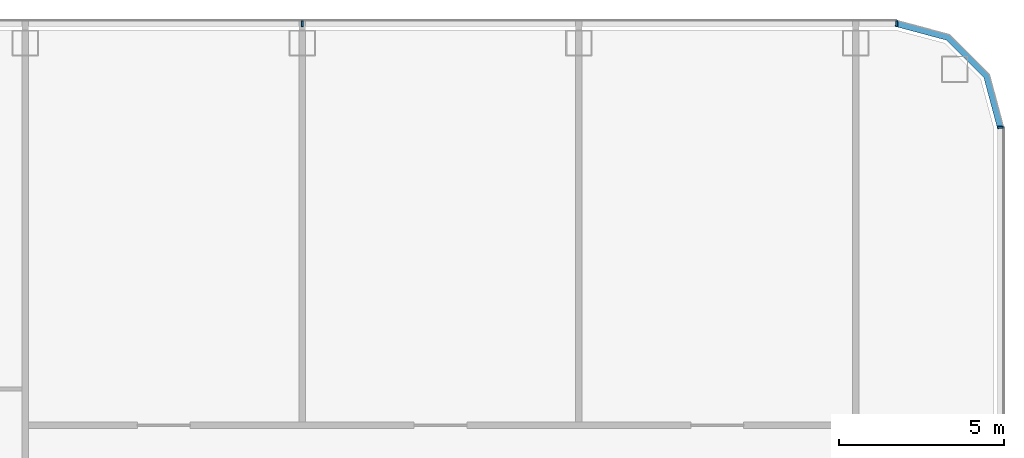
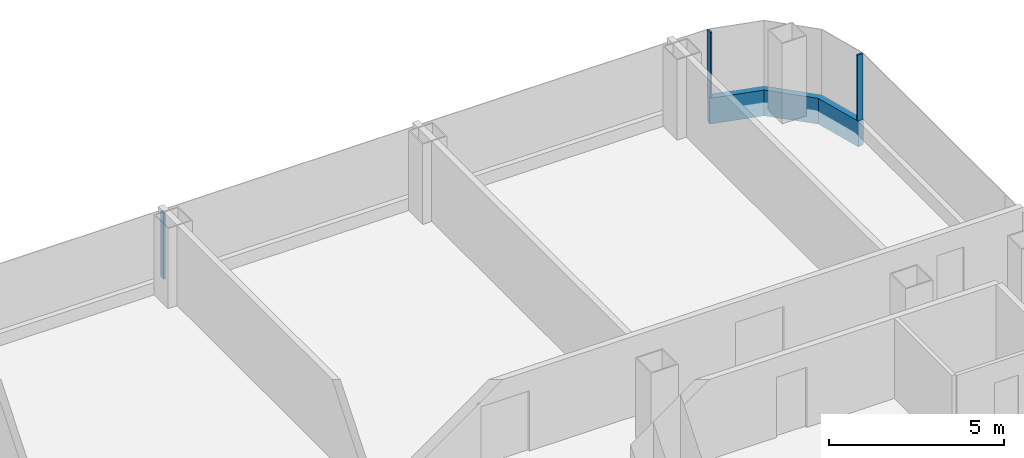
# One storey, part 13 of 29: 4 members, 3 elements without a shape of their own.
"""IFC4 building model written with IfcOpenShell, lengths in metres."""

from ifc_helpers import new_model, si_unit, direction, frame, origin, origin_2d, place, context, subcontext, project, spatial, polyline, rectangle, outline, extrude, material, layer, layer_set, material_profile, profile_set, type_object, element, aggregate, save


model = new_model("IFC4")

# Units and contexts
model_context = context("Model", 3, precision=1e-05, world=origin(), true_north=direction((0.0, 1.0)))
body_context = subcontext(model_context, "Body", "Model", "MODEL_VIEW")
ifc_project = project(units=[si_unit("LENGTHUNIT", "METRE"), si_unit("AREAUNIT", "SQUARE_METRE"), si_unit("VOLUMEUNIT", "CUBIC_METRE"), si_unit("PLANEANGLEUNIT", "RADIAN"), si_unit("MASSUNIT", "GRAM", prefix="KILO")], contexts=[model_context])

# Site, building, storey
site_placement = place(None, origin())
site = spatial("IfcSite", under=ifc_project, at=site_placement, CompositionType="ELEMENT")
building_placement = place(site_placement, origin())
building = spatial("IfcBuilding", under=site, at=building_placement, Name="Hakoniwa Tower and Hamabe Station Hall", CompositionType="ELEMENT")
storey_placement = place(building_placement, frame((0.0, 0.0, 78.60009765625)))
storey = spatial("IfcBuildingStorey", under=building, at=storey_placement, Name="L21", CompositionType="ELEMENT", Elevation=78.60009765625)

# Curtain wall, member
ifc_material_1 = material(Name="Dark low-e laminated glass", Category="glass")
ifc_layer = layer(ifc_material_1, 0.199951171875)
ifc_layer_set = layer_set([ifc_layer], Name="CW-1 UNITISED GUEST")
curtain_wall_type = type_object("IfcCurtainWallType", Name="CW-1 UNITISED GUEST", PredefinedType="NOTDEFINED", material=ifc_layer_set)
curtain_wall_1_placement = place(storey_placement, origin())
curtain_wall_1 = element("IfcCurtainWall", 1, at=curtain_wall_1_placement, inside=storey, type_object=curtain_wall_type, Name="CW-1 curtain wall", PredefinedType="NOTDEFINED")
ifc_material_2 = material(Name="Aluminium 6063-T5 black anodised", Category="aluminium")
ifc_material_profile_1 = material_profile(ifc_material_2, rectangle(XDim=0.199951171875, YDim=0.89990234375, at=origin_2d()), Name="CW SLAB-EDGE BAND 900X200")
ifc_profile_set_1 = profile_set([ifc_material_profile_1], Name="Aluminium 6063-T5 black anodised")
member_type_1 = type_object("IfcMemberType", Name="CW SLAB-EDGE BAND 900X200", PredefinedType="USERDEFINED", material=ifc_profile_set_1)
member_1_placement = place(storey_placement, frame((0.0, 0.0, -0.550048828125)))
member_1 = element("IfcMember", 2, at=member_1_placement, type_object=member_type_1, Name="CW-1 transom", ObjectType="TRANSOM", PredefinedType="USERDEFINED", context=body_context, shape_type="SweptSolid", body=[
    extrude(outline(polyline([(46.5, 20.28955078125), (46.067138671875, 21.9052734375), (44.855224609375, 23.116943359375), (43.239501953125, 23.550048828125), (43.187744140625, 23.35693359375), (44.751708984375, 22.937744140625), (45.8876953125, 21.8017578125), (46.306884765625, 20.23779296875), (46.5, 20.28955078125)])), origin(), (0.0, 0.0, 1.0), 0.89990234375),
])
aggregate(curtain_wall_1, [member_1])

curtain_wall_2_placement = place(storey_placement, origin())
curtain_wall_2 = element("IfcCurtainWall", 3, at=curtain_wall_2_placement, inside=storey, type_object=curtain_wall_type, Name="CW-1 curtain wall", PredefinedType="NOTDEFINED")
ifc_material_3 = material(Name="Aluminium 6063-T5 black anodised", Category="aluminium")
ifc_material_profile_2 = material_profile(ifc_material_3, rectangle(XDim=0.06005859375, YDim=0.179931640625, at=origin_2d()), Name="CW-1 MULLION 60X180")
ifc_profile_set_2 = profile_set([ifc_material_profile_2], Name="Aluminium 6063-T5 black anodised")
member_type_2 = type_object("IfcMemberType", Name="CW-1 MULLION 60X180", PredefinedType="MULLION", material=ifc_profile_set_2)
member_2_placement = place(storey_placement, frame((46.382080078125, 20.28955078125, 0.349853515625), z_axis=(0.0, 0.0, 1.0), x_axis=(0.0, 1.0, 0.0)))
member_2 = element("IfcMember", 4, at=member_2_placement, type_object=member_type_2, Name="CW-1 mullion", PredefinedType="MULLION", context=body_context, shape_type="SweptSolid", body=[
    extrude(rectangle(XDim=0.06005859375, YDim=0.179931640625, at=origin_2d()), origin(), (0.0, 0.0, 1.0), 2.300048828125),
])
aggregate(curtain_wall_2, [member_2])

# Curtain wall, members
curtain_wall_3_placement = place(storey_placement, origin())
curtain_wall_3 = element("IfcCurtainWall", 5, at=curtain_wall_3_placement, inside=storey, type_object=curtain_wall_type, Name="CW-1 curtain wall", PredefinedType="NOTDEFINED")
member_3_placement = place(storey_placement, frame((43.239501953125, 23.431884765625, 0.349853515625), z_axis=(0.0, 0.0, 1.0), x_axis=(-1.0, 0.0, 0.0)))
member_3 = element("IfcMember", 6, at=member_3_placement, type_object=member_type_2, Name="CW-1 mullion", PredefinedType="MULLION", context=body_context, shape_type="SweptSolid", body=[
    extrude(rectangle(XDim=0.06005859375, YDim=0.179931640625, at=origin_2d()), origin(), (0.0, 0.0, 1.0), 2.300048828125),
])
member_4_placement = place(storey_placement, frame((25.199951171875, 23.431884765625, 0.349853515625), z_axis=(0.0, 0.0, 1.0), x_axis=(-1.0, 0.0, 0.0)))
member_4 = element("IfcMember", 7, at=member_4_placement, type_object=member_type_2, Name="CW-1 mullion", PredefinedType="MULLION", context=body_context, shape_type="SweptSolid", body=[
    extrude(rectangle(XDim=0.06005859375, YDim=0.179931640625, at=origin_2d()), origin(), (0.0, 0.0, 1.0), 2.300048828125),
])
aggregate(curtain_wall_3, [member_3, member_4])

save(model, "model.ifc")
